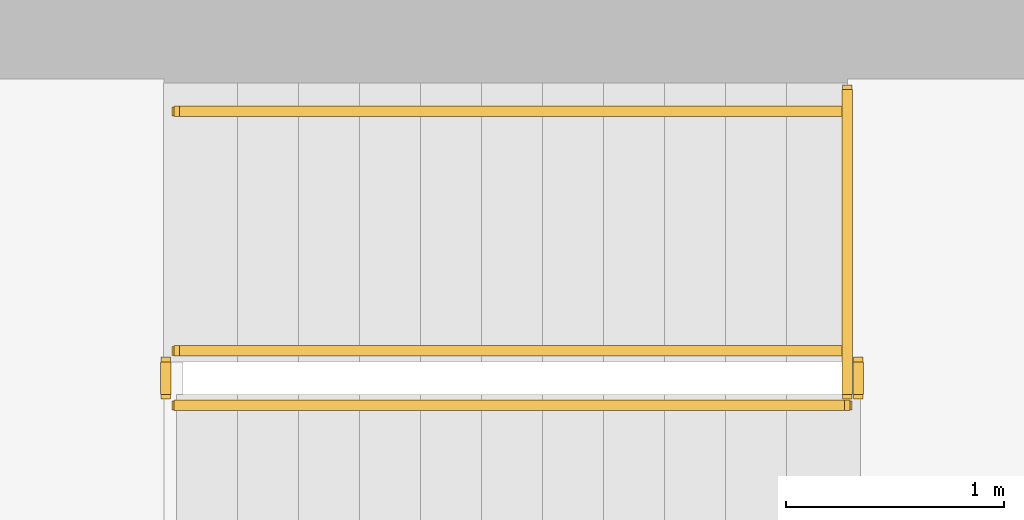
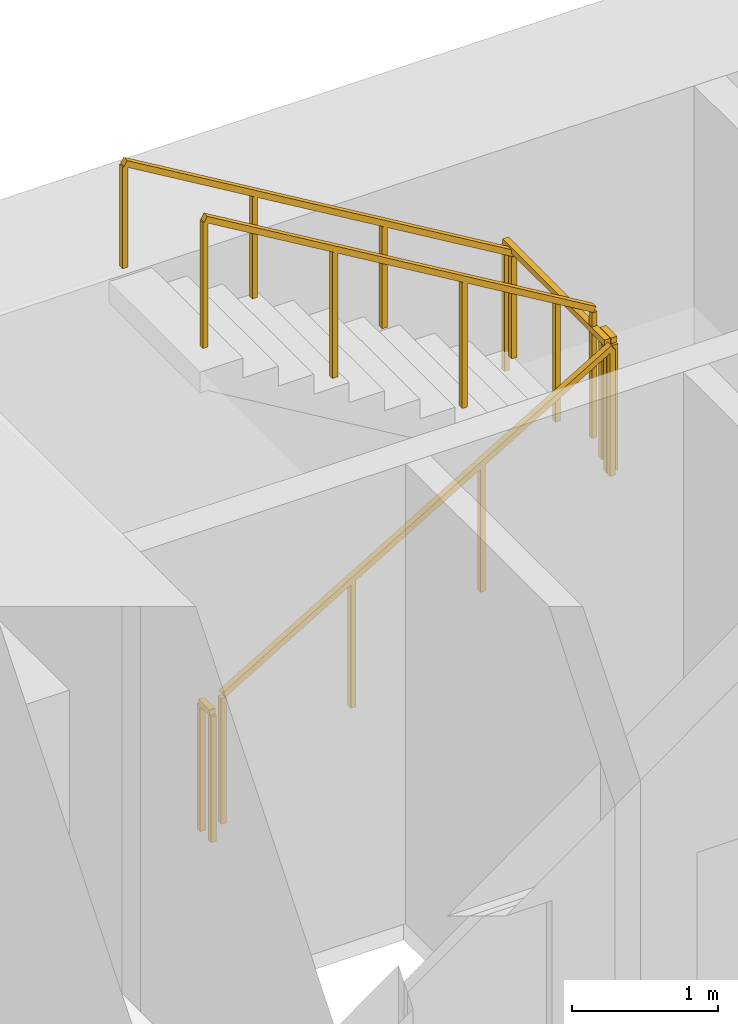
# One storey, part 15 of 16: 6 railings.
"""IFC4 building model written with IfcOpenShell, lengths in metres."""

from ifc_helpers import new_model, si_unit, direction, frame, origin, origin_2d, place, context, subcontext, project, spatial, rectangle, extrude, material, type_object, element, save


model = new_model("IFC4")

# Units and contexts
model_context = context("Model", 3, precision=1e-05, world=origin(), true_north=direction((0.0, 1.0)))
body_context = subcontext(model_context, "Body", "Model", "MODEL_VIEW")
ifc_project = project(units=[si_unit("LENGTHUNIT", "METRE"), si_unit("AREAUNIT", "SQUARE_METRE"), si_unit("VOLUMEUNIT", "CUBIC_METRE"), si_unit("PLANEANGLEUNIT", "RADIAN"), si_unit("MASSUNIT", "GRAM", prefix="KILO")], contexts=[model_context])

# Site, building, storey
site_placement = place(None, origin())
site = spatial("IfcSite", under=ifc_project, at=site_placement, CompositionType="ELEMENT")
building_placement = place(site_placement, origin())
building = spatial("IfcBuilding", under=site, at=building_placement, Name="Sennacour Bend Tower", CompositionType="ELEMENT")
storey_placement = place(building_placement, frame((0.0, 0.0, 45.0)))
storey = spatial("IfcBuildingStorey", under=building, at=storey_placement, Name="L09", CompositionType="ELEMENT", Elevation=45.0)

# Railings
ifc_material = material(Name="Stainless steel", Category="steel")
railing_type_1 = type_object("IfcRailingType", Name="RL-GUARD-1100", PredefinedType="GUARDRAIL", material=ifc_material)
railing_1_placement = place(storey_placement, frame((56.699951171875, 19.85009765625, 0.166748046875)))
element("IfcRailing", 1, at=railing_1_placement, inside=storey, type_object=railing_type_1, Name="L09 SA2 stair guard 1", PredefinedType="GUARDRAIL", context=body_context, shape_type="SweptSolid", body=[
    extrude(rectangle(XDim=0.048095703125, YDim=0.048095703125, at=origin_2d()), frame((0.0, 0.0, 1.076171875), z_axis=(0.859308565015, 0.0, 0.511457515432), x_axis=(0.0, 1.0, 0.0)), (0.0, 0.0, 1.0), 3.58447265625),
    extrude(rectangle(XDim=0.0419921875, YDim=0.0419921875, at=origin_2d()), origin(), (0.0, 0.0, 1.0), 1.052001953125),
    extrude(rectangle(XDim=0.0419921875, YDim=0.0419921875, at=origin_2d()), frame((1.026611328125, 0.0, 0.611083984375)), (0.0, 0.0, 1.0), 1.052001953125),
    extrude(rectangle(XDim=0.0419921875, YDim=0.0419921875, at=origin_2d()), frame((2.053466796875, 0.0, 1.22216796875)), (0.0, 0.0, 1.0), 1.052001953125),
    extrude(rectangle(XDim=0.0419921875, YDim=0.0419921875, at=origin_2d()), frame((3.080078125, 0.0, 1.833251953125)), (0.0, 0.0, 1.0), 1.052001953125),
])
railing_2_placement = place(storey_placement, frame((59.830078125, 19.89990234375, 2.0)))
element("IfcRailing", 2, at=railing_2_placement, inside=storey, type_object=railing_type_1, Name="L09 SA2 stair guard 2", PredefinedType="GUARDRAIL", context=body_context, shape_type="SweptSolid", body=[
    extrude(rectangle(XDim=0.048095703125, YDim=0.048095703125, at=origin_2d()), frame((0.0, 0.0, 1.076171875), z_axis=(0.0, 1.0, 0.0), x_axis=(-1.0, 0.0, 0.0)), (0.0, 0.0, 1.0), 0.150146484375),
    extrude(rectangle(XDim=0.0419921875, YDim=0.0419921875, at=origin_2d()), origin(), (0.0, 0.0, 1.0), 1.052001953125),
    extrude(rectangle(XDim=0.0419921875, YDim=0.0419921875, at=origin_2d()), frame((0.0, 0.150146484375, 0.0)), (0.0, 0.0, 1.0), 1.052001953125),
])
railing_3_placement = place(storey_placement, frame((59.780029296875, 20.10009765625, 2.166748046875)))
element("IfcRailing", 3, at=railing_3_placement, inside=storey, type_object=railing_type_1, Name="L09 SA2 stair guard 4", PredefinedType="GUARDRAIL", context=body_context, shape_type="SweptSolid", body=[
    extrude(rectangle(XDim=0.048095703125, YDim=0.048095703125, at=origin_2d()), frame((0.0, 0.0, 1.076171875), z_axis=(-0.859308565015, 0.0, 0.511457515432), x_axis=(0.0, -1.0, 0.0)), (0.0, 0.0, 1.0), 3.58447265625),
    extrude(rectangle(XDim=0.0419921875, YDim=0.0419921875, at=origin_2d()), origin(), (0.0, 0.0, 1.0), 1.052001953125),
    extrude(rectangle(XDim=0.0419921875, YDim=0.0419921875, at=origin_2d()), frame((-1.026611328125, 0.0, 0.611083984375)), (0.0, 0.0, 1.0), 1.052001953125),
    extrude(rectangle(XDim=0.0419921875, YDim=0.0419921875, at=origin_2d()), frame((-2.053466796875, 0.0, 1.22216796875)), (0.0, 0.0, 1.0), 1.052001953125),
    extrude(rectangle(XDim=0.0419921875, YDim=0.0419921875, at=origin_2d()), frame((-3.080078125, 0.0, 1.833251953125)), (0.0, 0.0, 1.0), 1.052001953125),
])
railing_4_placement = place(storey_placement, frame((56.64990234375, 19.89990234375, 0.0)))
element("IfcRailing", 4, at=railing_4_placement, inside=storey, type_object=railing_type_1, Name="L09 SA2 stair guard 5", PredefinedType="GUARDRAIL", context=body_context, shape_type="SweptSolid", body=[
    extrude(rectangle(XDim=0.048095703125, YDim=0.048095703125, at=origin_2d()), frame((0.0, 0.0, 1.076171875), z_axis=(0.0, 1.0, 0.0), x_axis=(-1.0, 0.0, 0.0)), (0.0, 0.0, 1.0), 0.150146484375),
    extrude(rectangle(XDim=0.0419921875, YDim=0.0419921875, at=origin_2d()), origin(), (0.0, 0.0, 1.0), 1.052001953125),
    extrude(rectangle(XDim=0.0419921875, YDim=0.0419921875, at=origin_2d()), frame((0.0, 0.150146484375, 0.0)), (0.0, 0.0, 1.0), 1.052001953125),
])
railing_5_placement = place(storey_placement, frame((59.780029296875, 19.89990234375, 2.0)))
element("IfcRailing", 5, at=railing_5_placement, inside=storey, type_object=railing_type_1, Name="L09 SA2 landing edge guard 20", PredefinedType="GUARDRAIL", context=body_context, shape_type="SweptSolid", body=[
    extrude(rectangle(XDim=0.048095703125, YDim=0.048095703125, at=origin_2d()), frame((0.0, 0.0, 1.076171875), z_axis=(0.0, 1.0, 0.0), x_axis=(-1.0, 0.0, 0.0)), (0.0, 0.0, 1.0), 1.400146484375),
    extrude(rectangle(XDim=0.0419921875, YDim=0.0419921875, at=origin_2d()), origin(), (0.0, 0.0, 1.0), 1.052001953125),
    extrude(rectangle(XDim=0.0419921875, YDim=0.0419921875, at=origin_2d()), frame((0.0, 0.7001953125, 0.0)), (0.0, 0.0, 1.0), 1.052001953125),
    extrude(rectangle(XDim=0.0419921875, YDim=0.0419921875, at=origin_2d()), frame((0.0, 1.400146484375, 0.0)), (0.0, 0.0, 1.0), 1.052001953125),
])
railing_type_2 = type_object("IfcRailingType", Name="RL-HANDRAIL-900", PredefinedType="HANDRAIL", material=ifc_material)
railing_6_placement = place(storey_placement, frame((59.780029296875, 21.199951171875, 2.166748046875)))
element("IfcRailing", 6, at=railing_6_placement, inside=storey, type_object=railing_type_2, Name="L09 SA2 stair handrail 2", PredefinedType="HANDRAIL", context=body_context, shape_type="SweptSolid", body=[
    extrude(rectangle(XDim=0.048095703125, YDim=0.048095703125, at=origin_2d()), frame((0.0, 0.0, 0.8759765625), z_axis=(-0.859308565015, 0.0, 0.511457515432), x_axis=(0.0, -1.0, 0.0)), (0.0, 0.0, 1.0), 3.58447265625),
    extrude(rectangle(XDim=0.0419921875, YDim=0.0419921875, at=origin_2d()), origin(), (0.0, 0.0, 1.0), 0.851806640625),
    extrude(rectangle(XDim=0.0419921875, YDim=0.0419921875, at=origin_2d()), frame((-1.026611328125, 0.0, 0.611083984375)), (0.0, 0.0, 1.0), 0.851806640625),
    extrude(rectangle(XDim=0.0419921875, YDim=0.0419921875, at=origin_2d()), frame((-2.053466796875, 0.0, 1.22216796875)), (0.0, 0.0, 1.0), 0.851806640625),
    extrude(rectangle(XDim=0.0419921875, YDim=0.0419921875, at=origin_2d()), frame((-3.080078125, 0.0, 1.833251953125)), (0.0, 0.0, 1.0), 0.851806640625),
])

save(model, "model.ifc")
